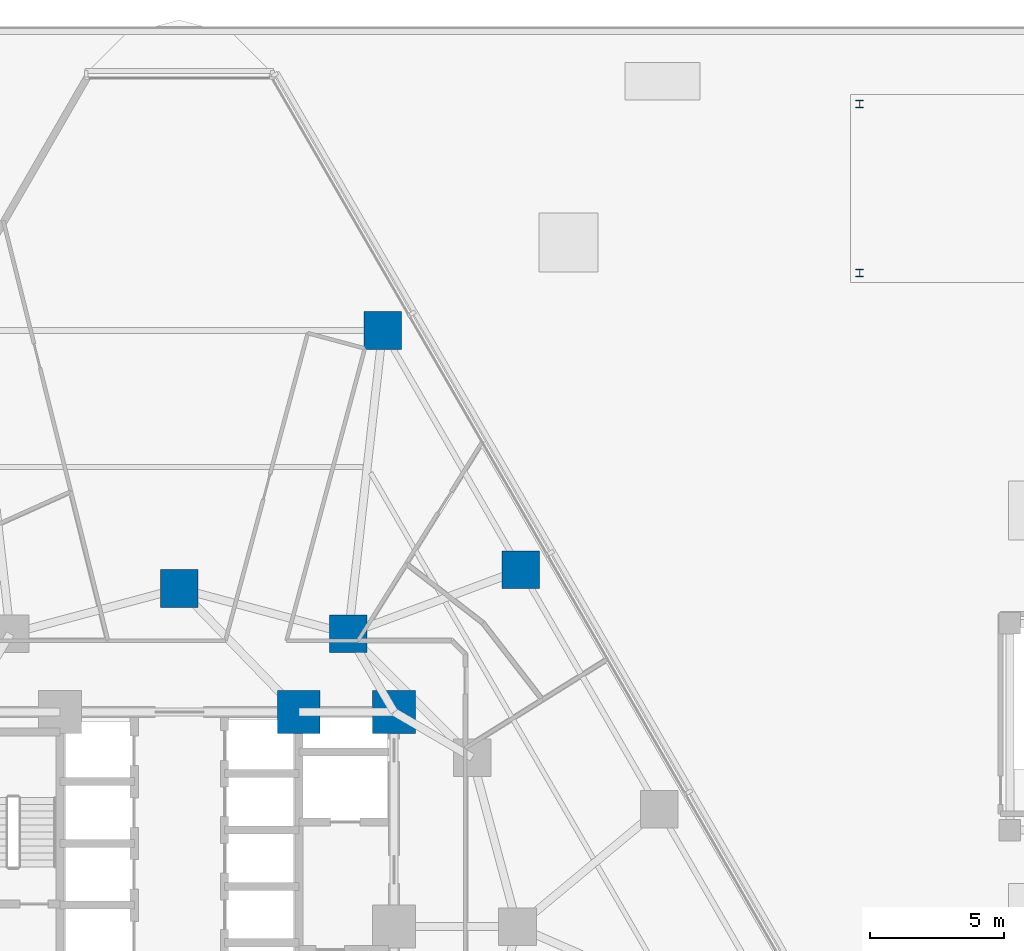
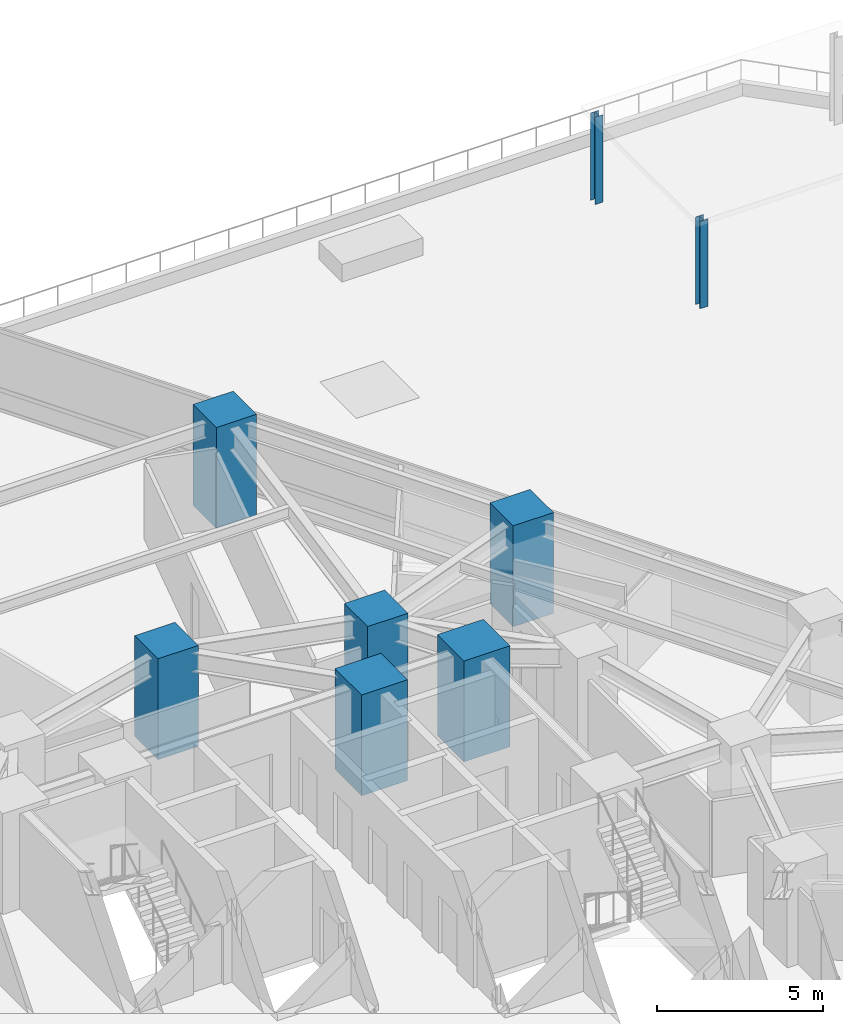
# One storey, part 4 of 23: 8 columns.
"""IFC4 building model written with IfcOpenShell, lengths in metres."""

from ifc_helpers import new_model, si_unit, direction, frame, origin, origin_2d, place, context, subcontext, project, spatial, rectangle, i_section, extrude, material, material_profile, profile_set, type_object, element, save


model = new_model("IFC4")

# Units and contexts
model_context = context("Model", 3, precision=1e-05, world=origin(), true_north=direction((0.0, 1.0)))
body_context = subcontext(model_context, "Body", "Model", "MODEL_VIEW")
ifc_project = project(units=[si_unit("LENGTHUNIT", "METRE"), si_unit("AREAUNIT", "SQUARE_METRE"), si_unit("VOLUMEUNIT", "CUBIC_METRE"), si_unit("PLANEANGLEUNIT", "RADIAN"), si_unit("MASSUNIT", "GRAM", prefix="KILO")], contexts=[model_context])

# Site, building, storey
site_placement = place(None, origin())
site = spatial("IfcSite", under=ifc_project, at=site_placement, CompositionType="ELEMENT")
building_placement = place(site_placement, origin())
building = spatial("IfcBuilding", under=site, at=building_placement, Name="Terralouvre Media Tower", CompositionType="ELEMENT")
storey_placement = place(building_placement, frame((0.0, 0.0, 26.0)))
storey = spatial("IfcBuildingStorey", under=building, at=storey_placement, Name="L05", CompositionType="ELEMENT", Elevation=26.0)

# Columns
ifc_material_1 = material(Name="Structural steel S355J2", Category="steel")
ifc_material_profile_1 = material_profile(ifc_material_1, i_section(OverallWidth=0.280029296875, OverallDepth=0.280029296875, WebThickness=0.010498046875, FlangeThickness=0.01806640625, at=origin_2d()), Name="HEB 280")
ifc_profile_set_1 = profile_set([ifc_material_profile_1], Name="Structural steel S355J2")
column_type_1 = type_object("IfcColumnType", Name="Basement Aisle Pilaster PL-HEB280 (HEB 280)", PredefinedType="PILASTER", material=ifc_profile_set_1)
for number, where, z_axis, x_axis, name in (
    (1, (25.35009765625, 24.35009765625, 0.0), (0.0, 0.0, 1.0), (1.0, 0.0, 0.0), "North-East Garden Pergola Roof Support Post 1"),
    (2, (25.35009765625, 30.64990234375, 0.0), (0.0, 0.0, 1.0), (1.0, 0.0, 0.0), "North-East Garden Pergola Roof Support Post 4"),
):
    element("IfcColumn", number, at=place(storey_placement, frame(where, z_axis=z_axis, x_axis=x_axis)), inside=storey, type_object=column_type_1, Name=name, PredefinedType="PILASTER", context=body_context, shape_type="SweptSolid", body=[
        extrude(i_section(OverallWidth=0.280029296875, OverallDepth=0.280029296875, WebThickness=0.010498046875, FlangeThickness=0.01806640625, at=origin_2d()), origin(), (0.0, 0.0, 1.0), 3.199951171875),
    ])
ifc_material_2 = material(Name="Concrete C60/75", Category="concrete")
ifc_material_profile_2 = material_profile(ifc_material_2, rectangle(XDim=1.39990234375, YDim=1.39990234375, at=origin_2d()), Name="RC 1400x1400")
ifc_profile_set_2 = profile_set([ifc_material_profile_2], Name="Concrete C60/75")
column_type_2 = type_object("IfcColumnType", Name="Structural Column C-RC1400 (RC 1400x1400)", PredefinedType="COLUMN", material=ifc_profile_set_2)
for number, where, z_axis, x_axis, name in (
    (3, (6.300048828125, 10.911865234375, 0.0), (0.0, 0.0, 1.0), (1.0, 0.0, 0.0), "L05 Mega-Frame Column MC03"),
    (4, (0.0, 12.60009765625, 0.0), (0.0, 0.0, 1.0), (1.0, 0.0, 0.0), "L05 Mega-Frame Column MC04"),
    (5, (12.724853515625, 13.29345703125, 0.0), (0.0, 0.0, 1.0), (1.0, 0.0, 0.0), "L05 Perimeter Mega-Column PC23"),
    (6, (7.574951171875, 22.21337890625, 0.0), (0.0, 0.0, 1.0), (1.0, 0.0, 0.0), "L05 Perimeter Mega-Column PC24"),
):
    element("IfcColumn", number, at=place(storey_placement, frame(where, z_axis=z_axis, x_axis=x_axis)), inside=storey, type_object=column_type_2, Name=name, PredefinedType="COLUMN", context=body_context, shape_type="SweptSolid", body=[
        extrude(rectangle(XDim=1.39990234375, YDim=1.39990234375, at=origin_2d()), origin(), (0.0, 0.0, 1.0), 3.699951171875),
    ])
ifc_material_3 = material(Name="Concrete C60/75", Category="concrete")
ifc_material_profile_3 = material_profile(ifc_material_3, rectangle(XDim=1.60009765625, YDim=1.60009765625, at=origin_2d()), Name="RC 1600x1600")
ifc_profile_set_3 = profile_set([ifc_material_profile_3], Name="Concrete C60/75")
column_type_3 = type_object("IfcColumnType", Name="Structural Column C-RC1600 (RC 1600x1600)", PredefinedType="COLUMN", material=ifc_profile_set_3)
for number, where, z_axis, x_axis, name in (
    (7, (8.0, 8.0, 0.0), (0.0, 0.0, 1.0), (1.0, 0.0, 0.0), "L05 Core Pilaster Column CP5"),
    (8, (4.449951171875, 8.0, 0.0), (0.0, 0.0, 1.0), (1.0, 0.0, 0.0), "L05 Core Pilaster Column CP9"),
):
    element("IfcColumn", number, at=place(storey_placement, frame(where, z_axis=z_axis, x_axis=x_axis)), inside=storey, type_object=column_type_3, Name=name, PredefinedType="COLUMN", context=body_context, shape_type="SweptSolid", body=[
        extrude(rectangle(XDim=1.60009765625, YDim=1.60009765625, at=origin_2d()), origin(), (0.0, 0.0, 1.0), 3.699951171875),
    ])

save(model, "model.ifc")
